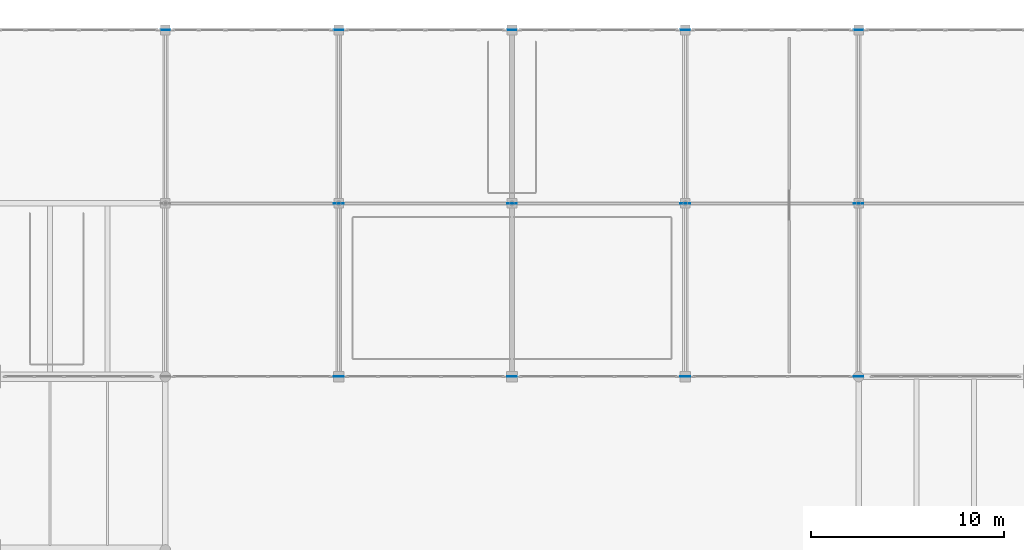
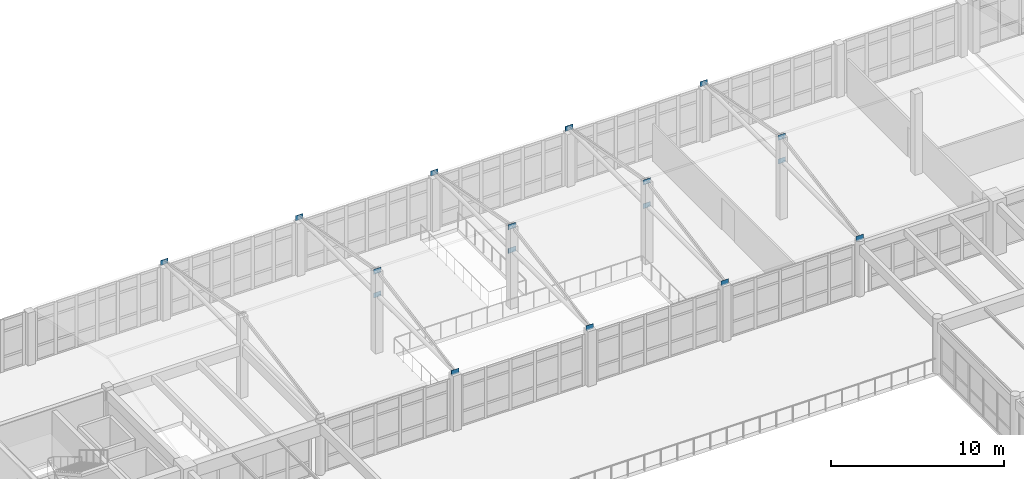
# One storey, part 125 of 156: 17 plates.
"""IFC4 building model written with IfcOpenShell, lengths in metres."""

import ifcopenshell
import ifcopenshell.guid

model = None  # the IFC model being written
_history = None  # IfcOwnerHistory: only IFC2X3 demands one
_inside = {}  # id of a spatial element -> (the spatial element, [elements in it])
_under = {}  # id of a project, library or spatial element -> (it, [spatial elements below it])
_declared = {}  # id of a project -> (the project, [libraries it declares])
_typed = {}  # id of a type object -> (the type object, [elements of that type])
_made_of = {}  # id of a material, layer set ... -> (it, [elements and type objects made of it])


def new_model(schema):
    """Start an empty IFC model of exactly this schema.

    Asked for "IFC4X3", IfcOpenShell would pick the latest addendum, in which some entities
    have other attributes; the version numbers below select the first issue.
    IFC2X3 requires an IfcOwnerHistory on every rooted entity: one is made here for all.
    """
    global model, _history
    if schema == "IFC4X3":
        model = ifcopenshell.file(schema_version=(4, 3, 0, 0))
    else:
        model = ifcopenshell.file(schema=schema)
    _inside.clear()
    _under.clear()
    _declared.clear()
    _typed.clear()
    _made_of.clear()
    _history = None
    if model.schema == "IFC2X3":
        org = make("IfcOrganization", Name="unknown")
        user = make(
            "IfcPersonAndOrganization",
            ThePerson=make("IfcPerson", FamilyName="unknown"),
            TheOrganization=org,
        )
        app = make(
            "IfcApplication",
            ApplicationDeveloper=org,
            Version="unknown",
            ApplicationFullName="unknown",
            ApplicationIdentifier="unknown",
        )
        _history = make(
            "IfcOwnerHistory",
            OwningUser=user,
            OwningApplication=app,
            ChangeAction="ADDED",
            CreationDate=0,
        )
    return model


def make(cls, **values):
    """One entity of the class cls with the attributes given. An attribute that is None is left unset."""
    return model.create_entity(
        cls, **{name: value for name, value in values.items() if value is not None}
    )


def rooted(cls, **values):
    """An entity with a GlobalId (a new one), such as an element, a storey or a relation."""
    return make(cls, GlobalId=ifcopenshell.guid.new(), OwnerHistory=_history, **values)


def si_unit(unit_type, name, prefix=None):
    """IfcSIUnit, for example si_unit("LENGTHUNIT", "METRE", prefix="MILLI")."""
    return make("IfcSIUnit", UnitType=unit_type, Prefix=prefix, Name=name)


def assignment(units):
    """IfcUnitAssignment: the units of a project."""
    return None if units is None else make("IfcUnitAssignment", Units=units)


def point(xyz):
    """IfcCartesianPoint."""
    return None if xyz is None else make("IfcCartesianPoint", Coordinates=xyz)


def direction(xyz):
    """IfcDirection."""
    return None if xyz is None else make("IfcDirection", DirectionRatios=xyz)


def frame(location, z_axis=None, x_axis=None):
    """IfcAxis2Placement3D, a coordinate frame: its origin and axes. An axis left out is left unset."""
    return make(
        "IfcAxis2Placement3D",
        Location=point(location),
        Axis=direction(z_axis),
        RefDirection=direction(x_axis),
    )


def frame_2d(location, x_axis=None):
    """IfcAxis2Placement2D, a coordinate frame in the plane: its origin and x axis."""
    return make(
        "IfcAxis2Placement2D", Location=point(location), RefDirection=direction(x_axis)
    )


def origin():
    """The frame at (0, 0, 0) with its axes left unset."""
    return frame((0.0, 0.0, 0.0))


def origin_2d():
    """The frame at (0, 0) in the plane with its x axis left unset."""
    return frame_2d((0.0, 0.0))


def place(relative_to, where):
    """IfcLocalPlacement: puts the frame where relative to a parent placement (None: the world)."""
    return make(
        "IfcLocalPlacement", PlacementRelTo=relative_to, RelativePlacement=where
    )


def context(
    kind, dimensions, precision=None, world=None, true_north=None, identifier=None
):
    """IfcGeometricRepresentationContext, for example the 3D "Model" context."""
    return make(
        "IfcGeometricRepresentationContext",
        ContextIdentifier=identifier,
        ContextType=kind,
        CoordinateSpaceDimension=dimensions,
        Precision=precision,
        WorldCoordinateSystem=world,
        TrueNorth=true_north,
    )


def subcontext(parent, identifier, kind, view, scale=None):
    """IfcGeometricRepresentationSubContext, for example "Body" below "Model"."""
    return make(
        "IfcGeometricRepresentationSubContext",
        ContextIdentifier=identifier,
        ContextType=kind,
        ParentContext=parent,
        TargetScale=scale,
        TargetView=view,
    )


def project(units=None, contexts=None):
    """IfcProject with its units and contexts."""
    return rooted(
        "IfcProject",
        Name="project",
        RepresentationContexts=contexts,
        UnitsInContext=assignment(units),
    )


def spatial(cls, under=None, at=None, **own):
    """A site, building, storey or space (cls), placed at a placement, below another one or the project."""
    s = rooted(cls, ObjectPlacement=at, **own)
    if under is not None:
        _under.setdefault(under.id(), (under, []))[1].append(s)
    return s


def profile(cls, at=None, kind="AREA", **sizes):
    """A parametric profile (cls). Its sizes go by their IFC names, for example OverallWidth=200.0."""
    return make(cls, ProfileType=kind, Position=at, **sizes)


def rectangle(**sizes):
    """IfcRectangleProfileDef."""
    return profile("IfcRectangleProfileDef", **sizes)


def extrude(swept, where, along, depth):
    """IfcExtrudedAreaSolid: the profile swept, set in the frame where, extruded along a direction by depth."""
    return make(
        "IfcExtrudedAreaSolid",
        SweptArea=swept,
        Position=where,
        ExtrudedDirection=direction(along),
        Depth=depth,
    )


def shape(context_of_items, identifier, shape_type, items):
    """IfcShapeRepresentation: the items that make up one representation, for example the "Body"."""
    return make(
        "IfcShapeRepresentation",
        ContextOfItems=context_of_items,
        RepresentationIdentifier=identifier,
        RepresentationType=shape_type,
        Items=items,
    )


def material(Name=None, Category=None):
    """IfcMaterial."""
    return make("IfcMaterial", Name=Name, Category=Category)


def layer(
    of_material, thickness, ventilated=None, Name=None, Category=None, Priority=None
):
    """IfcMaterialLayer: one layer of a wall or slab, of a material (None: an air gap)."""
    return make(
        "IfcMaterialLayer",
        Material=of_material,
        LayerThickness=thickness,
        IsVentilated=ventilated,
        Name=Name,
        Category=Category,
        Priority=Priority,
    )


def layer_set(layers, Name=None):
    """IfcMaterialLayerSet."""
    return make("IfcMaterialLayerSet", MaterialLayers=layers, LayerSetName=Name)


def made_of(thing, what):
    """Note that an element or type object is made of a material, layer set ...; save() writes the relation."""
    if what is not None:
        _made_of.setdefault(what.id(), (what, []))[1].append(thing)
    return thing


def type_object(cls, material=None, **own):
    """A type object (cls), such as IfcWallType, which elements share."""
    return made_of(rooted(cls, **own), material)


def element(
    cls,
    number,
    at=None,
    inside=None,
    cuts=None,
    type_object=None,
    material=None,
    context=None,
    identifier="Body",
    shape_type=None,
    held_by="IfcProductDefinitionShape",
    body=None,
    shapes=None,
    **own,
):
    """One element of the class cls, such as IfcWall. Its Tag is "e" and its number.

    at: its placement. inside: the storey or other place that contains it. cuts: it is an
    opening in that element (IfcRelVoidsElement). A single representation is given by context,
    identifier, shape_type and body (its items); several are given by shapes. held_by: the class
    of the entity that holds the representations. save() writes the other relations.
    """
    e = rooted(cls, Tag="e%d" % number, ObjectPlacement=at, **own)
    if body is not None:
        shapes = [shape(context, identifier, shape_type, body)]
    if shapes is not None:
        e.Representation = make(held_by, Representations=shapes)
    if inside is not None:
        _inside.setdefault(inside.id(), (inside, []))[1].append(e)
    if cuts is not None:
        rooted(
            "IfcRelVoidsElement", RelatingBuildingElement=cuts, RelatedOpeningElement=e
        )
    if type_object is not None:
        _typed.setdefault(type_object.id(), (type_object, []))[1].append(e)
    return made_of(e, material)


def aggregate(whole, parts):
    """IfcRelAggregates: a whole, such as a stair, and the parts it consists of."""
    return rooted("IfcRelAggregates", RelatingObject=whole, RelatedObjects=parts)


def save(model, path):
    """Write the relations noted so far, then the file.

    IfcRelAggregates (storeys below a building ...), IfcRelContainedInSpatialStructure (elements
    in a storey), IfcRelDefinesByType, IfcRelAssociatesMaterial and IfcRelDeclares: one each for
    every whole, place, type object, material and project.
    """
    for whole, parts in _under.values():
        aggregate(whole, parts)
    for where, things in _inside.values():
        rooted(
            "IfcRelContainedInSpatialStructure",
            RelatedElements=things,
            RelatingStructure=where,
        )
    for kind, things in _typed.values():
        rooted("IfcRelDefinesByType", RelatedObjects=things, RelatingType=kind)
    for what, things in _made_of.values():
        rooted("IfcRelAssociatesMaterial", RelatedObjects=things, RelatingMaterial=what)
    for by, libraries in _declared.values():
        rooted("IfcRelDeclares", RelatingContext=by, RelatedDefinitions=libraries)
    model.write(path)


model = new_model("IFC4")

# Units and contexts
model_context = context("Model", 3, precision=1e-05, world=origin(), true_north=direction((0.0, 1.0)))
body_context = subcontext(model_context, "Body", "Model", "MODEL_VIEW")
ifc_project = project(units=[si_unit("LENGTHUNIT", "METRE"), si_unit("AREAUNIT", "SQUARE_METRE"), si_unit("VOLUMEUNIT", "CUBIC_METRE"), si_unit("PLANEANGLEUNIT", "RADIAN"), si_unit("MASSUNIT", "GRAM", prefix="KILO")], contexts=[model_context])

# Site, building, storey
site_placement = place(None, origin())
site = spatial("IfcSite", under=ifc_project, at=site_placement, CompositionType="ELEMENT")
building_placement = place(site_placement, origin())
building = spatial("IfcBuilding", under=site, at=building_placement, Name="Ornek Quay Market", CompositionType="ELEMENT")
storey_placement = place(building_placement, frame((0.0, 0.0, 4.5)))
storey = spatial("IfcBuildingStorey", under=building, at=storey_placement, Name="L01", CompositionType="ELEMENT", Elevation=4.5)

# Plates
ifc_material = material(Name="Steel S355", Category="steel")
ifc_layer = layer(ifc_material, 0.02001953125, Name="Steel S355", Category="steel")
ifc_layer_set = layer_set([ifc_layer], Name="Steel S355")
plate_type = type_object("IfcPlateType", Name="PL-FLG-500x350x20", PredefinedType="USERDEFINED", material=ifc_layer_set)
for number, where, z_axis, x_axis, name in (
    (1, (72.0, 110.0, 3.804931640625), (0.0, 0.0, 1.0), (1.0, 0.0, 0.0), "Skylight truss connection plate C-72-4"),
    (2, (81.0, 92.0, 3.804931640625), (0.0, 0.0, 1.0), (1.0, 0.0, 0.0), "Skylight truss connection plate C-81-1"),
    (3, (81.0, 101.0, 3.804931640625), (0.0, 0.0, 1.0), (1.0, 0.0, 0.0), "Skylight truss connection plate C-81-2"),
    (4, (81.0, 101.0, 5.474853515625), (0.0, 0.0, 1.0), (1.0, 0.0, 0.0), "Skylight truss connection plate C-81-3"),
    (5, (81.0, 110.0, 3.804931640625), (0.0, 0.0, 1.0), (1.0, 0.0, 0.0), "Skylight truss connection plate C-81-4"),
    (6, (90.0, 92.0, 3.804931640625), (0.0, 0.0, 1.0), (1.0, 0.0, 0.0), "Skylight truss connection plate C-90-1"),
    (7, (90.0, 101.0, 3.804931640625), (0.0, 0.0, 1.0), (1.0, 0.0, 0.0), "Skylight truss connection plate C-90-2"),
    (8, (90.0, 101.0, 5.474853515625), (0.0, 0.0, 1.0), (1.0, 0.0, 0.0), "Skylight truss connection plate C-90-3"),
    (9, (90.0, 110.0, 3.804931640625), (0.0, 0.0, 1.0), (1.0, 0.0, 0.0), "Skylight truss connection plate C-90-4"),
    (10, (99.0, 92.0, 3.804931640625), (0.0, 0.0, 1.0), (1.0, 0.0, 0.0), "Skylight truss connection plate C-99-1"),
    (11, (99.0, 101.0, 3.804931640625), (0.0, 0.0, 1.0), (1.0, 0.0, 0.0), "Skylight truss connection plate C-99-2"),
    (12, (99.0, 101.0, 5.474853515625), (0.0, 0.0, 1.0), (1.0, 0.0, 0.0), "Skylight truss connection plate C-99-3"),
    (13, (99.0, 110.0, 3.804931640625), (0.0, 0.0, 1.0), (1.0, 0.0, 0.0), "Skylight truss connection plate C-99-4"),
    (14, (108.0, 92.0, 3.804931640625), (0.0, 0.0, 1.0), (1.0, 0.0, 0.0), "Skylight truss connection plate C-108-1"),
    (15, (108.0, 101.0, 3.804931640625), (0.0, 0.0, 1.0), (1.0, 0.0, 0.0), "Skylight truss connection plate C-108-2"),
    (16, (108.0, 101.0, 5.474853515625), (0.0, 0.0, 1.0), (1.0, 0.0, 0.0), "Skylight truss connection plate C-108-3"),
    (17, (108.0, 110.0, 3.804931640625), (0.0, 0.0, 1.0), (1.0, 0.0, 0.0), "Skylight truss connection plate C-108-4"),
):
    element("IfcPlate", number, at=place(storey_placement, frame(where, z_axis=z_axis, x_axis=x_axis)), inside=storey, type_object=plate_type, Name=name, ObjectType="FLANGE PLATE", PredefinedType="USERDEFINED", context=body_context, shape_type="SweptSolid", body=[
        extrude(rectangle(XDim=0.5, YDim=0.02001953125, at=origin_2d()), origin(), (0.0, 0.0, 1.0), 0.35009765625),
    ])

save(model, "model.ifc")
